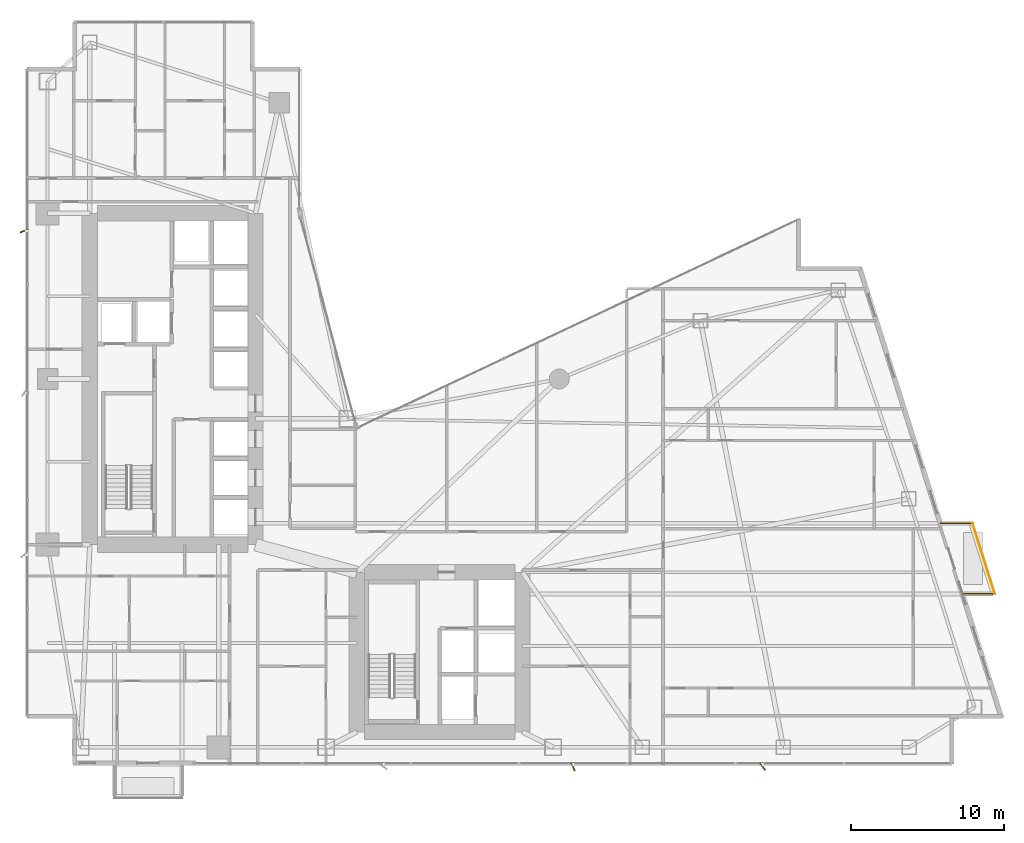
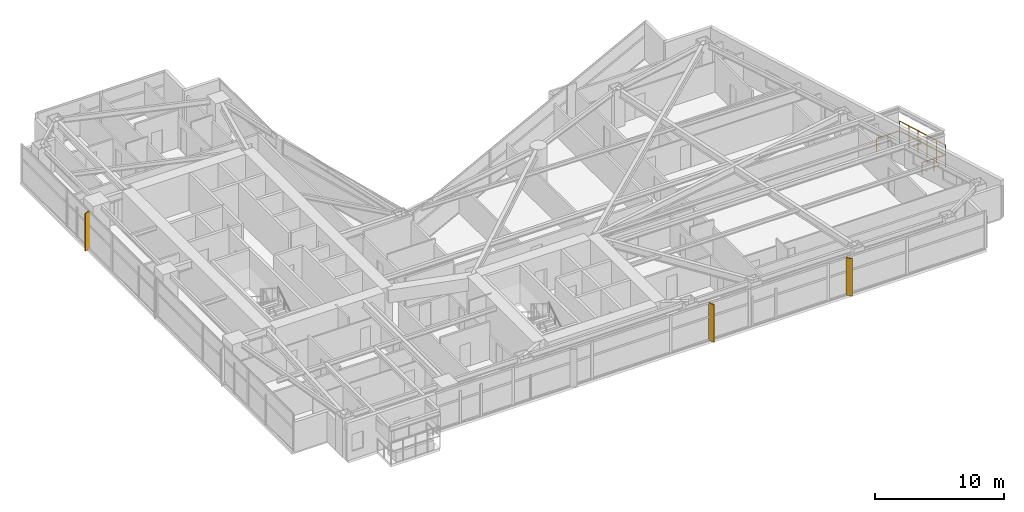
# One storey, part 29 of 29: 3 shading devices, 2 railings.
"""IFC4 building model written with IfcOpenShell, lengths in metres."""

from ifc_helpers import new_model, si_unit, direction, frame, origin, origin_2d, place, context, subcontext, project, spatial, rectangle, circle, extrude, material, type_object, element, save


model = new_model("IFC4")

# Units and contexts
model_context = context("Model", 3, precision=1e-05, world=origin(), true_north=direction((0.0, 1.0)))
body_context = subcontext(model_context, "Body", "Model", "MODEL_VIEW")
ifc_project = project(units=[si_unit("LENGTHUNIT", "METRE"), si_unit("AREAUNIT", "SQUARE_METRE"), si_unit("VOLUMEUNIT", "CUBIC_METRE"), si_unit("PLANEANGLEUNIT", "RADIAN"), si_unit("MASSUNIT", "GRAM", prefix="KILO")], contexts=[model_context])

# Site, building, storey
site_placement = place(None, origin())
site = spatial("IfcSite", under=ifc_project, at=site_placement, CompositionType="ELEMENT")
building_placement = place(site_placement, origin())
building = spatial("IfcBuilding", under=site, at=building_placement, Name="Calvorn Quay Hotel", CompositionType="ELEMENT")
storey_placement = place(building_placement, frame((0.0, 0.0, 58.39990234375)))
storey = spatial("IfcBuildingStorey", under=building, at=storey_placement, Name="L13", CompositionType="ELEMENT", Elevation=58.39990234375)

# Railings
ifc_material_1 = material(Name="Pale Anodised Aluminium and Laminated Glass", Category="aluminium")
railing_type = type_object("IfcRailingType", Name="RLG-BALUSTRADE-1200", PredefinedType="BALUSTRADE", material=ifc_material_1)
railing_1_placement = place(storey_placement, frame((61.089111328125, 13.60009765625, 0.0)))
element("IfcRailing", 1, at=railing_1_placement, inside=storey, type_object=railing_type, Name="Tree Balcony Perimeter Balustrade L13-BALC-E", PredefinedType="BALUSTRADE", context=body_context, shape_type="SweptSolid", body=[
    extrude(circle(Radius=0.02392578125, at=origin_2d()), frame((0.0, 0.0, 1.17578125), z_axis=(1.0, 0.0, 0.0), x_axis=(0.0, 1.0, 0.0)), (0.0, 0.0, 1.0), 2.099853515625),
    extrude(circle(Radius=0.02392578125, at=origin_2d()), frame((2.099853515625, 0.0, 1.17578125), z_axis=(-0.300450487966, 0.953797412599, 0.0), x_axis=(-0.953797412599, -0.300450487966, 0.0)), (0.0, 0.0, 1.0), 4.82275390625),
    extrude(circle(Radius=0.02392578125, at=origin_2d()), frame((0.65087890625, 4.599853515625, 1.17578125), z_axis=(-1.0, 0.0, 0.0), x_axis=(0.0, -1.0, 0.0)), (0.0, 0.0, 1.0), 2.10009765625),
    extrude(circle(Radius=0.02099609375, at=origin_2d()), origin(), (0.0, 0.0, 1.0), 1.15185546875),
    extrude(circle(Radius=0.02099609375, at=origin_2d()), frame((1.0498046875, 0.0, 0.0)), (0.0, 0.0, 1.0), 1.15185546875),
    extrude(circle(Radius=0.02099609375, at=origin_2d()), frame((2.099853515625, 0.0, 0.0)), (0.0, 0.0, 1.0), 1.15185546875),
    extrude(circle(Radius=0.02099609375, at=origin_2d()), frame((1.81005859375, 0.919921875, 0.0)), (0.0, 0.0, 1.0), 1.15185546875),
    extrude(circle(Radius=0.02099609375, at=origin_2d()), frame((1.520263671875, 1.83984375, 0.0)), (0.0, 0.0, 1.0), 1.15185546875),
    extrude(circle(Radius=0.02099609375, at=origin_2d()), frame((1.23046875, 2.760009765625, 0.0)), (0.0, 0.0, 1.0), 1.15185546875),
    extrude(circle(Radius=0.02099609375, at=origin_2d()), frame((0.940673828125, 3.679931640625, 0.0)), (0.0, 0.0, 1.0), 1.15185546875),
    extrude(circle(Radius=0.02099609375, at=origin_2d()), frame((0.65087890625, 4.599853515625, 0.0)), (0.0, 0.0, 1.0), 1.15185546875),
    extrude(circle(Radius=0.02099609375, at=origin_2d()), frame((-0.399169921875, 4.599853515625, 0.0)), (0.0, 0.0, 1.0), 1.15185546875),
    extrude(circle(Radius=0.02099609375, at=origin_2d()), frame((-1.44921875, 4.599853515625, 0.0)), (0.0, 0.0, 1.0), 1.15185546875),
])
railing_2_placement = place(storey_placement, frame((63.18896484375, 13.60009765625, 0.900146484375)))
element("IfcRailing", 2, at=railing_2_placement, inside=storey, type_object=railing_type, Name="Planter Kerb High Safety Screen L13-BALC-E", PredefinedType="BALUSTRADE", context=body_context, shape_type="SweptSolid", body=[
    extrude(circle(Radius=0.02392578125, at=origin_2d()), frame((0.0, 0.0, 1.19580078125), z_axis=(-0.300450487966, 0.953797412599, 0.0), x_axis=(-0.953797412599, -0.300450487966, 0.0)), (0.0, 0.0, 1.0), 4.82275390625),
    extrude(circle(Radius=0.02099609375, at=origin_2d()), origin(), (0.0, 0.0, 1.0), 1.171875),
    extrude(circle(Radius=0.02099609375, at=origin_2d()), frame((-0.289794921875, 0.919921875, 0.0)), (0.0, 0.0, 1.0), 1.171875),
    extrude(circle(Radius=0.02099609375, at=origin_2d()), frame((-0.57958984375, 1.83984375, 0.0)), (0.0, 0.0, 1.0), 1.171875),
    extrude(circle(Radius=0.02099609375, at=origin_2d()), frame((-0.869384765625, 2.760009765625, 0.0)), (0.0, 0.0, 1.0), 1.171875),
    extrude(circle(Radius=0.02099609375, at=origin_2d()), frame((-1.1591796875, 3.679931640625, 0.0)), (0.0, 0.0, 1.0), 1.171875),
    extrude(circle(Radius=0.02099609375, at=origin_2d()), frame((-1.448974609375, 4.599853515625, 0.0)), (0.0, 0.0, 1.0), 1.171875),
])

# Shading devices
ifc_material_2 = material(Name="Champagne Bronze Anodised Aluminium 6063-T6", Category="aluminium")
shading_device_type_1 = type_object("IfcShadingDeviceType", Name="SHD-FIN-A1", PredefinedType="USERDEFINED", material=ifc_material_2)
for number, where, z_axis, x_axis, name in (
    (3, (-0.080078125, 37.25, 0.0), (0.0, 0.0, 1.0), (0.927183854567, 0.374606593416, 0.0), "Diagonal Sun-Shading Fin L13-W03"),
    (4, (35.699951171875, 2.320068359375, 0.0), (0.0, 0.0, 1.0), (-0.374606593416, 0.927183854567, 0.0), "Diagonal Sun-Shading Fin L13-S02"),
):
    element("IfcShadingDevice", number, at=place(storey_placement, frame(where, z_axis=z_axis, x_axis=x_axis)), inside=storey, type_object=shading_device_type_1, Name=name, ObjectType="FIN", PredefinedType="USERDEFINED", context=body_context, shape_type="SweptSolid", body=[
        extrude(rectangle(XDim=0.550048828125, YDim=0.080078125, at=origin_2d()), origin(), (0.0, 0.0, 1.0), 3.56005859375),
    ])
ifc_material_3 = material(Name="Champagne Bronze Anodised Aluminium 6063-T6", Category="aluminium")
shading_device_type_2 = type_object("IfcShadingDeviceType", Name="SHD-FIN-A2", PredefinedType="USERDEFINED", material=ifc_material_3)
shading_device_placement = place(storey_placement, frame((48.050048828125, 2.320068359375, 0.0), z_axis=(0.0, 0.0, 1.0), x_axis=(-0.615661475326, 0.788010753607, 0.0)))
element("IfcShadingDevice", 5, at=shading_device_placement, inside=storey, type_object=shading_device_type_2, Name="Diagonal Sun-Shading Fin L13-S03", ObjectType="FIN", PredefinedType="USERDEFINED", context=body_context, shape_type="SweptSolid", body=[
    extrude(rectangle(XDim=0.550048828125, YDim=0.080078125, at=origin_2d()), origin(), (0.0, 0.0, 1.0), 3.56005859375),
])

save(model, "model.ifc")
